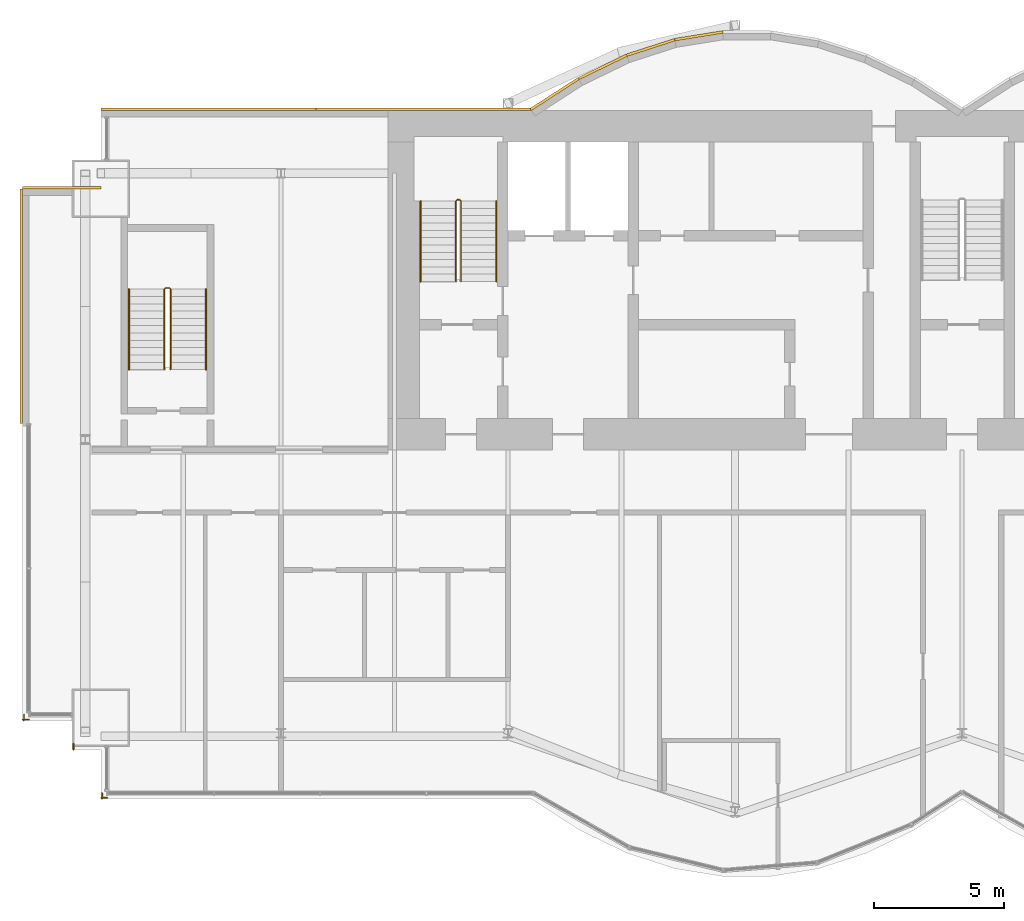
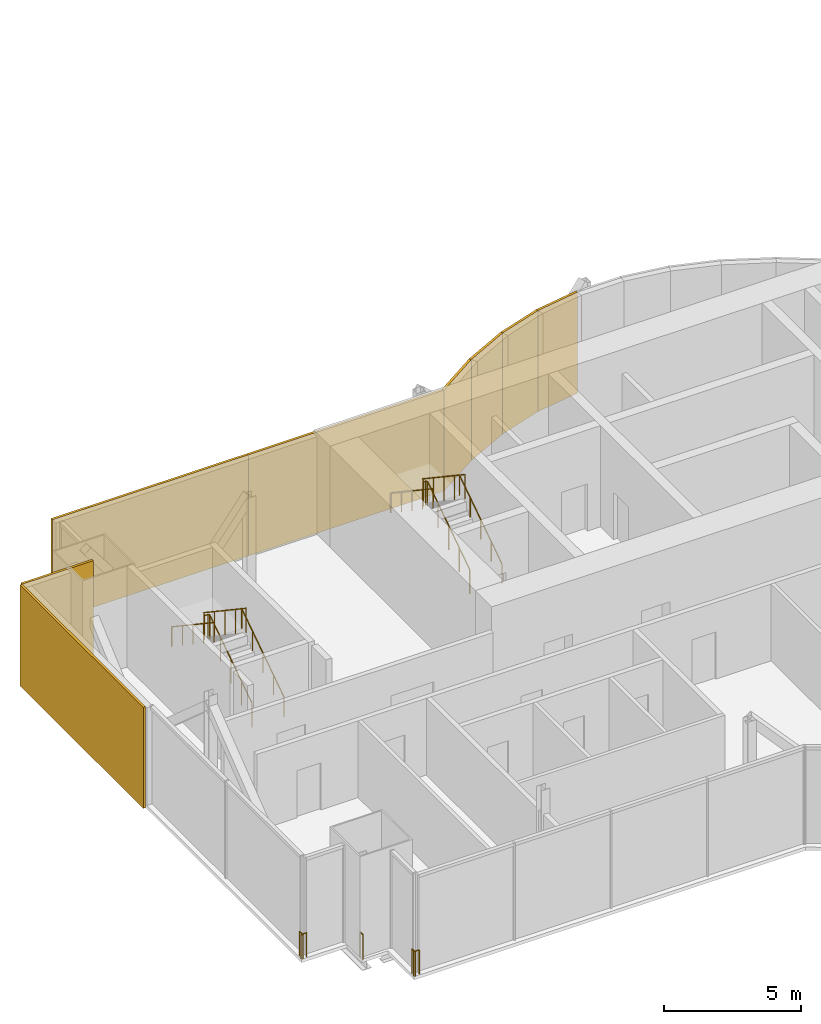
# One storey, part 16 of 18: 9 railings, 8 coverings.
"""IFC4 building model written with IfcOpenShell, lengths in metres."""

import ifcopenshell
import ifcopenshell.guid

model = None  # the IFC model being written
_history = None  # IfcOwnerHistory: only IFC2X3 demands one
_inside = {}  # id of a spatial element -> (the spatial element, [elements in it])
_under = {}  # id of a project, library or spatial element -> (it, [spatial elements below it])
_declared = {}  # id of a project -> (the project, [libraries it declares])
_typed = {}  # id of a type object -> (the type object, [elements of that type])
_made_of = {}  # id of a material, layer set ... -> (it, [elements and type objects made of it])


def new_model(schema):
    """Start an empty IFC model of exactly this schema.

    Asked for "IFC4X3", IfcOpenShell would pick the latest addendum, in which some entities
    have other attributes; the version numbers below select the first issue.
    IFC2X3 requires an IfcOwnerHistory on every rooted entity: one is made here for all.
    """
    global model, _history
    if schema == "IFC4X3":
        model = ifcopenshell.file(schema_version=(4, 3, 0, 0))
    else:
        model = ifcopenshell.file(schema=schema)
    _inside.clear()
    _under.clear()
    _declared.clear()
    _typed.clear()
    _made_of.clear()
    _history = None
    if model.schema == "IFC2X3":
        org = make("IfcOrganization", Name="unknown")
        user = make(
            "IfcPersonAndOrganization",
            ThePerson=make("IfcPerson", FamilyName="unknown"),
            TheOrganization=org,
        )
        app = make(
            "IfcApplication",
            ApplicationDeveloper=org,
            Version="unknown",
            ApplicationFullName="unknown",
            ApplicationIdentifier="unknown",
        )
        _history = make(
            "IfcOwnerHistory",
            OwningUser=user,
            OwningApplication=app,
            ChangeAction="ADDED",
            CreationDate=0,
        )
    return model


def make(cls, **values):
    """One entity of the class cls with the attributes given. An attribute that is None is left unset."""
    return model.create_entity(
        cls, **{name: value for name, value in values.items() if value is not None}
    )


def rooted(cls, **values):
    """An entity with a GlobalId (a new one), such as an element, a storey or a relation."""
    return make(cls, GlobalId=ifcopenshell.guid.new(), OwnerHistory=_history, **values)


def si_unit(unit_type, name, prefix=None):
    """IfcSIUnit, for example si_unit("LENGTHUNIT", "METRE", prefix="MILLI")."""
    return make("IfcSIUnit", UnitType=unit_type, Prefix=prefix, Name=name)


def assignment(units):
    """IfcUnitAssignment: the units of a project."""
    return None if units is None else make("IfcUnitAssignment", Units=units)


def point(xyz):
    """IfcCartesianPoint."""
    return None if xyz is None else make("IfcCartesianPoint", Coordinates=xyz)


def direction(xyz):
    """IfcDirection."""
    return None if xyz is None else make("IfcDirection", DirectionRatios=xyz)


def frame(location, z_axis=None, x_axis=None):
    """IfcAxis2Placement3D, a coordinate frame: its origin and axes. An axis left out is left unset."""
    return make(
        "IfcAxis2Placement3D",
        Location=point(location),
        Axis=direction(z_axis),
        RefDirection=direction(x_axis),
    )


def frame_2d(location, x_axis=None):
    """IfcAxis2Placement2D, a coordinate frame in the plane: its origin and x axis."""
    return make(
        "IfcAxis2Placement2D", Location=point(location), RefDirection=direction(x_axis)
    )


def origin():
    """The frame at (0, 0, 0) with its axes left unset."""
    return frame((0.0, 0.0, 0.0))


def origin_2d():
    """The frame at (0, 0) in the plane with its x axis left unset."""
    return frame_2d((0.0, 0.0))


def place(relative_to, where):
    """IfcLocalPlacement: puts the frame where relative to a parent placement (None: the world)."""
    return make(
        "IfcLocalPlacement", PlacementRelTo=relative_to, RelativePlacement=where
    )


def context(
    kind, dimensions, precision=None, world=None, true_north=None, identifier=None
):
    """IfcGeometricRepresentationContext, for example the 3D "Model" context."""
    return make(
        "IfcGeometricRepresentationContext",
        ContextIdentifier=identifier,
        ContextType=kind,
        CoordinateSpaceDimension=dimensions,
        Precision=precision,
        WorldCoordinateSystem=world,
        TrueNorth=true_north,
    )


def subcontext(parent, identifier, kind, view, scale=None):
    """IfcGeometricRepresentationSubContext, for example "Body" below "Model"."""
    return make(
        "IfcGeometricRepresentationSubContext",
        ContextIdentifier=identifier,
        ContextType=kind,
        ParentContext=parent,
        TargetScale=scale,
        TargetView=view,
    )


def project(units=None, contexts=None):
    """IfcProject with its units and contexts."""
    return rooted(
        "IfcProject",
        Name="project",
        RepresentationContexts=contexts,
        UnitsInContext=assignment(units),
    )


def spatial(cls, under=None, at=None, **own):
    """A site, building, storey or space (cls), placed at a placement, below another one or the project."""
    s = rooted(cls, ObjectPlacement=at, **own)
    if under is not None:
        _under.setdefault(under.id(), (under, []))[1].append(s)
    return s


def profile(cls, at=None, kind="AREA", **sizes):
    """A parametric profile (cls). Its sizes go by their IFC names, for example OverallWidth=200.0."""
    return make(cls, ProfileType=kind, Position=at, **sizes)


def rectangle(**sizes):
    """IfcRectangleProfileDef."""
    return profile("IfcRectangleProfileDef", **sizes)


def circle(**sizes):
    """IfcCircleProfileDef."""
    return profile("IfcCircleProfileDef", **sizes)


def extrude(swept, where, along, depth):
    """IfcExtrudedAreaSolid: the profile swept, set in the frame where, extruded along a direction by depth."""
    return make(
        "IfcExtrudedAreaSolid",
        SweptArea=swept,
        Position=where,
        ExtrudedDirection=direction(along),
        Depth=depth,
    )


def shape(context_of_items, identifier, shape_type, items):
    """IfcShapeRepresentation: the items that make up one representation, for example the "Body"."""
    return make(
        "IfcShapeRepresentation",
        ContextOfItems=context_of_items,
        RepresentationIdentifier=identifier,
        RepresentationType=shape_type,
        Items=items,
    )


def material(Name=None, Category=None):
    """IfcMaterial."""
    return make("IfcMaterial", Name=Name, Category=Category)


def layer(
    of_material, thickness, ventilated=None, Name=None, Category=None, Priority=None
):
    """IfcMaterialLayer: one layer of a wall or slab, of a material (None: an air gap)."""
    return make(
        "IfcMaterialLayer",
        Material=of_material,
        LayerThickness=thickness,
        IsVentilated=ventilated,
        Name=Name,
        Category=Category,
        Priority=Priority,
    )


def layer_set(layers, Name=None):
    """IfcMaterialLayerSet."""
    return make("IfcMaterialLayerSet", MaterialLayers=layers, LayerSetName=Name)


def made_of(thing, what):
    """Note that an element or type object is made of a material, layer set ...; save() writes the relation."""
    if what is not None:
        _made_of.setdefault(what.id(), (what, []))[1].append(thing)
    return thing


def type_object(cls, material=None, **own):
    """A type object (cls), such as IfcWallType, which elements share."""
    return made_of(rooted(cls, **own), material)


def element(
    cls,
    number,
    at=None,
    inside=None,
    cuts=None,
    type_object=None,
    material=None,
    context=None,
    identifier="Body",
    shape_type=None,
    held_by="IfcProductDefinitionShape",
    body=None,
    shapes=None,
    **own,
):
    """One element of the class cls, such as IfcWall. Its Tag is "e" and its number.

    at: its placement. inside: the storey or other place that contains it. cuts: it is an
    opening in that element (IfcRelVoidsElement). A single representation is given by context,
    identifier, shape_type and body (its items); several are given by shapes. held_by: the class
    of the entity that holds the representations. save() writes the other relations.
    """
    e = rooted(cls, Tag="e%d" % number, ObjectPlacement=at, **own)
    if body is not None:
        shapes = [shape(context, identifier, shape_type, body)]
    if shapes is not None:
        e.Representation = make(held_by, Representations=shapes)
    if inside is not None:
        _inside.setdefault(inside.id(), (inside, []))[1].append(e)
    if cuts is not None:
        rooted(
            "IfcRelVoidsElement", RelatingBuildingElement=cuts, RelatedOpeningElement=e
        )
    if type_object is not None:
        _typed.setdefault(type_object.id(), (type_object, []))[1].append(e)
    return made_of(e, material)


def aggregate(whole, parts):
    """IfcRelAggregates: a whole, such as a stair, and the parts it consists of."""
    return rooted("IfcRelAggregates", RelatingObject=whole, RelatedObjects=parts)


def save(model, path):
    """Write the relations noted so far, then the file.

    IfcRelAggregates (storeys below a building ...), IfcRelContainedInSpatialStructure (elements
    in a storey), IfcRelDefinesByType, IfcRelAssociatesMaterial and IfcRelDeclares: one each for
    every whole, place, type object, material and project.
    """
    for whole, parts in _under.values():
        aggregate(whole, parts)
    for where, things in _inside.values():
        rooted(
            "IfcRelContainedInSpatialStructure",
            RelatedElements=things,
            RelatingStructure=where,
        )
    for kind, things in _typed.values():
        rooted("IfcRelDefinesByType", RelatedObjects=things, RelatingType=kind)
    for what, things in _made_of.values():
        rooted("IfcRelAssociatesMaterial", RelatedObjects=things, RelatingMaterial=what)
    for by, libraries in _declared.values():
        rooted("IfcRelDeclares", RelatingContext=by, RelatedDefinitions=libraries)
    model.write(path)


model = new_model("IFC4")

# Units and contexts
model_context = context("Model", 3, precision=1e-05, world=origin(), true_north=direction((0.0, 1.0)))
body_context = subcontext(model_context, "Body", "Model", "MODEL_VIEW")
ifc_project = project(units=[si_unit("LENGTHUNIT", "METRE"), si_unit("AREAUNIT", "SQUARE_METRE"), si_unit("VOLUMEUNIT", "CUBIC_METRE"), si_unit("PLANEANGLEUNIT", "RADIAN"), si_unit("MASSUNIT", "GRAM", prefix="KILO")], contexts=[model_context])

# Site, building, storey
site_placement = place(None, origin())
site = spatial("IfcSite", under=ifc_project, at=site_placement, CompositionType="ELEMENT")
building_placement = place(site_placement, origin())
building = spatial("IfcBuilding", under=site, at=building_placement, Name="Bicima Exchange Tower", CompositionType="ELEMENT")
storey_placement = place(building_placement, frame((0.0, 0.0, 311.0)))
storey = spatial("IfcBuildingStorey", under=building, at=storey_placement, Name="L70", CompositionType="ELEMENT", Elevation=311.0)

# Coverings
ifc_material_1 = material(Name="Bronze metal cladding")
ifc_layer_1 = layer(ifc_material_1, 0.004)
ifc_material_2 = material(Name="Ventilated cavity")
ifc_layer_2 = layer(ifc_material_2, 0.06)
ifc_material_3 = material(Name="Galvanised steel rail and mineral wool", Category="steel")
ifc_layer_3 = layer(ifc_material_3, 0.036)
ifc_layer_set = layer_set([ifc_layer_1, ifc_layer_2, ifc_layer_3], Name="Ventilated cavity")
covering_type = type_object("IfcCoveringType", Name="Bronze metal cladding panel 100", PredefinedType="CLADDING", material=ifc_layer_set)
covering_1_placement = place(storey_placement, frame((-10.09130859375, 2.8642578125, -0.14990234375), z_axis=(0.0, 0.0, 1.0), x_axis=(-0.987189786347, -0.159550386184, 0.0)))
element("IfcCovering", 1, at=covering_1_placement, inside=storey, type_object=covering_type, Name="Bronze cladding L70 16.1", PredefinedType="CLADDING", context=body_context, shape_type="SweptSolid", body=[
    extrude(rectangle(XDim=1.857177734375, YDim=0.10009765625, at=origin_2d()), origin(), (0.0, 0.0, 1.0), 4.5),
])
covering_2_placement = place(storey_placement, frame((-11.931884765625, 2.41796875, -0.14990234375), z_axis=(0.0, 0.0, 1.0), x_axis=(-0.951524642381, -0.307572519808, 0.0)))
element("IfcCovering", 2, at=covering_2_placement, inside=storey, type_object=covering_type, Name="Bronze cladding L70 17.1", PredefinedType="CLADDING", context=body_context, shape_type="SweptSolid", body=[
    extrude(rectangle(XDim=1.9267578125, YDim=0.10009765625, at=origin_2d()), origin(), (0.0, 0.0, 1.0), 4.5),
])
covering_3_placement = place(storey_placement, frame((-13.771728515625, 1.674560546875, -0.14990234375), z_axis=(0.0, 0.0, 1.0), x_axis=(-0.899818346812, -0.436264762204, 0.0)))
element("IfcCovering", 3, at=covering_3_placement, inside=storey, type_object=covering_type, Name="Bronze cladding L70 18.1", PredefinedType="CLADDING", context=body_context, shape_type="SweptSolid", body=[
    extrude(rectangle(XDim=2.03759765625, YDim=0.10009765625, at=origin_2d()), origin(), (0.0, 0.0, 1.0), 4.5),
])
covering_4_placement = place(storey_placement, frame((-15.610595703125, 0.634521484375, -0.14990234375), z_axis=(0.0, 0.0, 1.0), x_axis=(-0.839790466384, -0.542910648791, 0.0)))
element("IfcCovering", 4, at=covering_4_placement, inside=storey, type_object=covering_type, Name="Bronze cladding L70 19.1", PredefinedType="CLADDING", context=body_context, shape_type="SweptSolid", body=[
    extrude(rectangle(XDim=2.18310546875, YDim=0.10009765625, at=origin_2d()), origin(), (0.0, 0.0, 1.0), 4.5),
])
for number, where, z_axis, x_axis, name in (
    (5, (-20.625, 0.050048828125, -0.14990234375), (0.0, 0.0, 1.0), (-1.0, 0.0, 0.0), "Bronze cladding L70 20.1"),
    (6, (-28.875, 0.050048828125, -0.14990234375), (0.0, 0.0, 1.0), (-1.0, 0.0, 0.0), "Bronze cladding L70 20.2"),
):
    element("IfcCovering", number, at=place(storey_placement, frame(where, z_axis=z_axis, x_axis=x_axis)), inside=storey, type_object=covering_type, Name=name, PredefinedType="CLADDING", context=body_context, shape_type="SweptSolid", body=[
        extrude(rectangle(XDim=8.25, YDim=0.10009765625, at=origin_2d()), origin(), (0.0, 0.0, 1.0), 4.5),
    ])
covering_5_placement = place(storey_placement, frame((-34.5, -2.949951171875, -0.14990234375), z_axis=(0.0, 0.0, 1.0), x_axis=(-1.0, 0.0, 0.0)))
element("IfcCovering", 7, at=covering_5_placement, inside=storey, type_object=covering_type, Name="Bronze cladding L70 22.1", PredefinedType="CLADDING", context=body_context, shape_type="SweptSolid", body=[
    extrude(rectangle(XDim=3.0, YDim=0.10009765625, at=origin_2d()), origin(), (0.0, 0.0, 1.0), 4.5),
])
covering_6_placement = place(storey_placement, frame((-36.050048828125, -7.5, -0.14990234375), z_axis=(0.0, 0.0, 1.0), x_axis=(0.0, -1.0, 0.0)))
element("IfcCovering", 8, at=covering_6_placement, inside=storey, type_object=covering_type, Name="Bronze cladding L70 23.1", PredefinedType="CLADDING", context=body_context, shape_type="SweptSolid", body=[
    extrude(rectangle(XDim=9.0, YDim=0.10009765625, at=origin_2d()), origin(), (0.0, 0.0, 1.0), 4.5),
])

# Railings
ifc_material_4 = material(Name="Stainless steel and bonded safety glass", Category="steel")
railing_type_1 = type_object("IfcRailingType", Name="Edge guard 1100", PredefinedType="GUARDRAIL", material=ifc_material_4)
railing_1_placement = place(storey_placement, frame((-35.762939453125, -23.333984375, 0.0)))
element("IfcRailing", 9, at=railing_1_placement, inside=storey, type_object=railing_type_1, Name="Edge guard L70 361", PredefinedType="GUARDRAIL", context=body_context, shape_type="SweptSolid", body=[
    extrude(circle(Radius=0.02392578125, at=origin_2d()), frame((0.0, 0.0, 1.076171875), z_axis=(-1.0, 0.0, 0.0), x_axis=(0.0, -1.0, 0.0)), (0.0, 0.0, 1.0), 0.237060546875),
    extrude(circle(Radius=0.02392578125, at=origin_2d()), frame((-0.237060546875, 0.0, 1.076171875), z_axis=(0.707106781187, -0.707106781187, 0.0), x_axis=(0.707106781187, 0.707106781187, 0.0)), (0.0, 0.0, 1.0), 0.07080078125),
    extrude(circle(Radius=0.02392578125, at=origin_2d()), frame((-0.18701171875, -0.050048828125, 1.076171875), z_axis=(0.0, 1.0, 0.0), x_axis=(-1.0, 0.0, 0.0)), (0.0, 0.0, 1.0), 0.2490234375),
    extrude(circle(Radius=0.02099609375, at=origin_2d()), origin(), (0.0, 0.0, 1.0), 1.052001953125),
    extrude(circle(Radius=0.02099609375, at=origin_2d()), frame((-0.237060546875, 0.0, 0.0)), (0.0, 0.0, 1.0), 1.052001953125),
    extrude(circle(Radius=0.02099609375, at=origin_2d()), frame((-0.18701171875, -0.050048828125, 0.0)), (0.0, 0.0, 1.0), 1.052001953125),
    extrude(circle(Radius=0.02099609375, at=origin_2d()), frame((-0.18701171875, 0.198974609375, 0.0)), (0.0, 0.0, 1.0), 1.052001953125),
])
railing_2_placement = place(storey_placement, frame((-32.75, -26.333984375, 0.0)))
element("IfcRailing", 10, at=railing_2_placement, inside=storey, type_object=railing_type_1, Name="Edge guard L70 365", PredefinedType="GUARDRAIL", context=body_context, shape_type="SweptSolid", body=[
    extrude(circle(Radius=0.02392578125, at=origin_2d()), frame((0.0, 0.0, 1.076171875), z_axis=(-1.0, 0.0, 0.0), x_axis=(0.0, -1.0, 0.0)), (0.0, 0.0, 1.0), 0.25),
    extrude(circle(Radius=0.02392578125, at=origin_2d()), frame((-0.25, 0.0, 1.076171875), z_axis=(0.707106781187, -0.707106781187, 0.0), x_axis=(0.707106781187, 0.707106781187, 0.0)), (0.0, 0.0, 1.0), 0.07080078125),
    extrude(circle(Radius=0.02392578125, at=origin_2d()), frame((-0.199951171875, -0.050048828125, 1.076171875), z_axis=(0.0, 1.0, 0.0), x_axis=(-1.0, 0.0, 0.0)), (0.0, 0.0, 1.0), 0.238037109375),
    extrude(circle(Radius=0.02099609375, at=origin_2d()), origin(), (0.0, 0.0, 1.0), 1.052001953125),
    extrude(circle(Radius=0.02099609375, at=origin_2d()), frame((-0.25, 0.0, 0.0)), (0.0, 0.0, 1.0), 1.052001953125),
    extrude(circle(Radius=0.02099609375, at=origin_2d()), frame((-0.199951171875, -0.050048828125, 0.0)), (0.0, 0.0, 1.0), 1.052001953125),
    extrude(circle(Radius=0.02099609375, at=origin_2d()), frame((-0.199951171875, 0.18798828125, 0.0)), (0.0, 0.0, 1.0), 1.052001953125),
])
railing_3_placement = place(storey_placement, frame((-34.050048828125, -24.48388671875, 0.0)))
element("IfcRailing", 11, at=railing_3_placement, inside=storey, type_object=railing_type_1, Name="Edge guard L70 366", PredefinedType="GUARDRAIL", context=body_context, shape_type="SweptSolid", body=[
    extrude(circle(Radius=0.02392578125, at=origin_2d()), frame((0.0, 0.0, 1.076171875), z_axis=(0.0, 1.0, 0.0), x_axis=(-1.0, 0.0, 0.0)), (0.0, 0.0, 1.0), 0.219970703125),
    extrude(circle(Radius=0.02099609375, at=origin_2d()), origin(), (0.0, 0.0, 1.0), 1.052001953125),
    extrude(circle(Radius=0.02099609375, at=origin_2d()), frame((0.0, 0.219970703125, 0.0)), (0.0, 0.0, 1.0), 1.052001953125),
])
ifc_material_5 = material(Name="Stainless steel", Category="steel")
railing_type_2 = type_object("IfcRailingType", Name="Stair guard 1100", PredefinedType="GUARDRAIL", material=ifc_material_5)
railing_4_placement = place(storey_placement, frame((-19.199951171875, -6.550048828125, 0.1875)))
element("IfcRailing", 12, at=railing_4_placement, inside=storey, type_object=railing_type_2, Name="L70 ST-W stair guard 1", PredefinedType="GUARDRAIL", context=body_context, shape_type="SweptSolid", body=[
    extrude(circle(Radius=0.02392578125, at=origin_2d()), frame((0.0, 0.0, 1.076171875), z_axis=(0.0, 0.830913701846, 0.55640131208), x_axis=(-1.0, 0.0, 0.0)), (0.0, 0.0, 1.0), 3.706787109375),
    extrude(circle(Radius=0.02392578125, at=origin_2d()), frame((0.0, 3.080078125, 3.138671875), z_axis=(-0.707106781187, 0.707106781187, 0.0), x_axis=(-0.707106781187, -0.707106781187, 0.0)), (0.0, 0.0, 1.0), 0.07080078125),
    extrude(circle(Radius=0.02392578125, at=origin_2d()), frame((-0.050048828125, 3.130126953125, 3.138671875), z_axis=(-1.0, 0.0, 0.0), x_axis=(0.0, -1.0, 0.0)), (0.0, 0.0, 1.0), 0.10009765625),
    extrude(circle(Radius=0.02392578125, at=origin_2d()), frame((-0.150146484375, 3.130126953125, 3.138671875), z_axis=(-0.248583702486, -0.249802250048, 0.935844527007), x_axis=(0.708833529934, -0.705375805398, 0.0)), (0.0, 0.0, 1.0), 0.200439453125),
    extrude(circle(Radius=0.02392578125, at=origin_2d()), frame((-0.199951171875, 3.080078125, 3.326171875), z_axis=(0.0, -0.830913701846, 0.55640131208), x_axis=(1.0, 0.0, 0.0)), (0.0, 0.0, 1.0), 3.706787109375),
    extrude(circle(Radius=0.02099609375, at=origin_2d()), origin(), (0.0, 0.0, 1.0), 1.052001953125),
    extrude(circle(Radius=0.02099609375, at=origin_2d()), frame((0.0, 0.77001953125, 0.515625)), (0.0, 0.0, 1.0), 1.052001953125),
    extrude(circle(Radius=0.02099609375, at=origin_2d()), frame((0.0, 1.5400390625, 1.03125)), (0.0, 0.0, 1.0), 1.052001953125),
    extrude(circle(Radius=0.02099609375, at=origin_2d()), frame((0.0, 2.31005859375, 1.546875)), (0.0, 0.0, 1.0), 1.052001953125),
    extrude(circle(Radius=0.02099609375, at=origin_2d()), frame((0.0, 3.080078125, 2.0625)), (0.0, 0.0, 1.0), 1.052001953125),
    extrude(circle(Radius=0.02099609375, at=origin_2d()), frame((-0.050048828125, 3.130126953125, 2.0625)), (0.0, 0.0, 1.0), 1.052001953125),
    extrude(circle(Radius=0.02099609375, at=origin_2d()), frame((-0.150146484375, 3.130126953125, 2.0625)), (0.0, 0.0, 1.0), 1.052001953125),
    extrude(circle(Radius=0.02099609375, at=origin_2d()), frame((-0.199951171875, 3.080078125, 2.25)), (0.0, 0.0, 1.0), 1.052001953125),
    extrude(circle(Radius=0.02099609375, at=origin_2d()), frame((-0.199951171875, 2.31005859375, 2.765625)), (0.0, 0.0, 1.0), 1.052001953125),
    extrude(circle(Radius=0.02099609375, at=origin_2d()), frame((-0.199951171875, 1.5400390625, 3.28125)), (0.0, 0.0, 1.0), 1.052001953125),
    extrude(circle(Radius=0.02099609375, at=origin_2d()), frame((-0.199951171875, 0.77001953125, 3.796875)), (0.0, 0.0, 1.0), 1.052001953125),
    extrude(circle(Radius=0.02099609375, at=origin_2d()), frame((-0.199951171875, 0.0, 4.3125)), (0.0, 0.0, 1.0), 1.052001953125),
])
railing_5_placement = place(storey_placement, frame((-30.324951171875, -9.925048828125, 0.1875)))
element("IfcRailing", 13, at=railing_5_placement, inside=storey, type_object=railing_type_2, Name="L70 ST-WW stair guard 1", PredefinedType="GUARDRAIL", context=body_context, shape_type="SweptSolid", body=[
    extrude(circle(Radius=0.02392578125, at=origin_2d()), frame((0.0, 0.0, 1.076171875), z_axis=(0.0, 0.830913701846, 0.55640131208), x_axis=(-1.0, 0.0, 0.0)), (0.0, 0.0, 1.0), 3.706787109375),
    extrude(circle(Radius=0.02392578125, at=origin_2d()), frame((0.0, 3.080078125, 3.138671875), z_axis=(-0.707106781187, 0.707106781187, 0.0), x_axis=(-0.707106781187, -0.707106781187, 0.0)), (0.0, 0.0, 1.0), 0.07080078125),
    extrude(circle(Radius=0.02392578125, at=origin_2d()), frame((-0.050048828125, 3.130126953125, 3.138671875), z_axis=(-1.0, 0.0, 0.0), x_axis=(0.0, -1.0, 0.0)), (0.0, 0.0, 1.0), 0.14990234375),
    extrude(circle(Radius=0.02392578125, at=origin_2d()), frame((-0.199951171875, 3.130126953125, 3.138671875), z_axis=(-0.249726431254, -0.249726431254, 0.935560483917), x_axis=(0.707106781187, -0.707106781187, 0.0)), (0.0, 0.0, 1.0), 0.200439453125),
    extrude(circle(Radius=0.02392578125, at=origin_2d()), frame((-0.25, 3.080078125, 3.326171875), z_axis=(0.0, -0.830913701846, 0.55640131208), x_axis=(1.0, 0.0, 0.0)), (0.0, 0.0, 1.0), 3.706787109375),
    extrude(circle(Radius=0.02099609375, at=origin_2d()), origin(), (0.0, 0.0, 1.0), 1.052001953125),
    extrude(circle(Radius=0.02099609375, at=origin_2d()), frame((0.0, 0.77001953125, 0.515625)), (0.0, 0.0, 1.0), 1.052001953125),
    extrude(circle(Radius=0.02099609375, at=origin_2d()), frame((0.0, 1.5400390625, 1.03125)), (0.0, 0.0, 1.0), 1.052001953125),
    extrude(circle(Radius=0.02099609375, at=origin_2d()), frame((0.0, 2.31005859375, 1.546875)), (0.0, 0.0, 1.0), 1.052001953125),
    extrude(circle(Radius=0.02099609375, at=origin_2d()), frame((0.0, 3.080078125, 2.0625)), (0.0, 0.0, 1.0), 1.052001953125),
    extrude(circle(Radius=0.02099609375, at=origin_2d()), frame((-0.050048828125, 3.130126953125, 2.0625)), (0.0, 0.0, 1.0), 1.052001953125),
    extrude(circle(Radius=0.02099609375, at=origin_2d()), frame((-0.199951171875, 3.130126953125, 2.0625)), (0.0, 0.0, 1.0), 1.052001953125),
    extrude(circle(Radius=0.02099609375, at=origin_2d()), frame((-0.25, 3.080078125, 2.25)), (0.0, 0.0, 1.0), 1.052001953125),
    extrude(circle(Radius=0.02099609375, at=origin_2d()), frame((-0.25, 2.31005859375, 2.765625)), (0.0, 0.0, 1.0), 1.052001953125),
    extrude(circle(Radius=0.02099609375, at=origin_2d()), frame((-0.25, 1.5400390625, 3.28125)), (0.0, 0.0, 1.0), 1.052001953125),
    extrude(circle(Radius=0.02099609375, at=origin_2d()), frame((-0.25, 0.77001953125, 3.796875)), (0.0, 0.0, 1.0), 1.052001953125),
    extrude(circle(Radius=0.02099609375, at=origin_2d()), frame((-0.25, 0.0, 4.3125)), (0.0, 0.0, 1.0), 1.052001953125),
])
railing_type_3 = type_object("IfcRailingType", Name="Stair handrail 900", PredefinedType="HANDRAIL", material=ifc_material_5)
railing_6_placement = place(storey_placement, frame((-17.85009765625, -6.550048828125, 0.1875)))
element("IfcRailing", 14, at=railing_6_placement, inside=storey, type_object=railing_type_3, Name="L70 ST-W stair handrail 1", PredefinedType="HANDRAIL", context=body_context, shape_type="SweptSolid", body=[
    extrude(circle(Radius=0.02392578125, at=origin_2d()), frame((0.0, 0.0, 0.8759765625), z_axis=(0.0, 0.830913701846, 0.55640131208), x_axis=(-1.0, 0.0, 0.0)), (0.0, 0.0, 1.0), 3.706787109375),
    extrude(circle(Radius=0.02099609375, at=origin_2d()), origin(), (0.0, 0.0, 1.0), 0.851806640625),
    extrude(circle(Radius=0.02099609375, at=origin_2d()), frame((0.0, 0.77001953125, 0.515625)), (0.0, 0.0, 1.0), 0.851806640625),
    extrude(circle(Radius=0.02099609375, at=origin_2d()), frame((0.0, 1.5400390625, 1.03125)), (0.0, 0.0, 1.0), 0.851806640625),
    extrude(circle(Radius=0.02099609375, at=origin_2d()), frame((0.0, 2.31005859375, 1.546875)), (0.0, 0.0, 1.0), 0.851806640625),
    extrude(circle(Radius=0.02099609375, at=origin_2d()), frame((0.0, 3.080078125, 2.0625)), (0.0, 0.0, 1.0), 0.851806640625),
])
railing_7_placement = place(storey_placement, frame((-20.75, -3.469970703125, 2.47900390625)))
element("IfcRailing", 15, at=railing_7_placement, inside=storey, type_object=railing_type_3, Name="L70 ST-W stair handrail 2", PredefinedType="HANDRAIL", context=body_context, shape_type="SweptSolid", body=[
    extrude(circle(Radius=0.02392578125, at=origin_2d()), frame((0.0, 0.0, 0.8759765625), z_axis=(0.0, -0.830913701846, 0.55640131208), x_axis=(1.0, 0.0, 0.0)), (0.0, 0.0, 1.0), 3.706787109375),
    extrude(circle(Radius=0.02099609375, at=origin_2d()), origin(), (0.0, 0.0, 1.0), 0.851806640625),
    extrude(circle(Radius=0.02099609375, at=origin_2d()), frame((0.0, -0.77001953125, 0.515625)), (0.0, 0.0, 1.0), 0.851806640625),
    extrude(circle(Radius=0.02099609375, at=origin_2d()), frame((0.0, -1.5400390625, 1.03125)), (0.0, 0.0, 1.0), 0.851806640625),
    extrude(circle(Radius=0.02099609375, at=origin_2d()), frame((0.0, -2.31005859375, 1.546875)), (0.0, 0.0, 1.0), 0.851806640625),
    extrude(circle(Radius=0.02099609375, at=origin_2d()), frame((0.0, -3.080078125, 2.0625)), (0.0, 0.0, 1.0), 0.851806640625),
])
railing_8_placement = place(storey_placement, frame((-28.97509765625, -9.925048828125, 0.1875)))
element("IfcRailing", 16, at=railing_8_placement, inside=storey, type_object=railing_type_3, Name="L70 ST-WW stair handrail 1", PredefinedType="HANDRAIL", context=body_context, shape_type="SweptSolid", body=[
    extrude(circle(Radius=0.02392578125, at=origin_2d()), frame((0.0, 0.0, 0.8759765625), z_axis=(0.0, 0.830913701846, 0.55640131208), x_axis=(-1.0, 0.0, 0.0)), (0.0, 0.0, 1.0), 3.706787109375),
    extrude(circle(Radius=0.02099609375, at=origin_2d()), origin(), (0.0, 0.0, 1.0), 0.851806640625),
    extrude(circle(Radius=0.02099609375, at=origin_2d()), frame((0.0, 0.77001953125, 0.515625)), (0.0, 0.0, 1.0), 0.851806640625),
    extrude(circle(Radius=0.02099609375, at=origin_2d()), frame((0.0, 1.5400390625, 1.03125)), (0.0, 0.0, 1.0), 0.851806640625),
    extrude(circle(Radius=0.02099609375, at=origin_2d()), frame((0.0, 2.31005859375, 1.546875)), (0.0, 0.0, 1.0), 0.851806640625),
    extrude(circle(Radius=0.02099609375, at=origin_2d()), frame((0.0, 3.080078125, 2.0625)), (0.0, 0.0, 1.0), 0.851806640625),
])
railing_9_placement = place(storey_placement, frame((-31.925048828125, -6.844970703125, 2.47900390625)))
element("IfcRailing", 17, at=railing_9_placement, inside=storey, type_object=railing_type_3, Name="L70 ST-WW stair handrail 2", PredefinedType="HANDRAIL", context=body_context, shape_type="SweptSolid", body=[
    extrude(circle(Radius=0.02392578125, at=origin_2d()), frame((0.0, 0.0, 0.8759765625), z_axis=(0.0, -0.830913701846, 0.55640131208), x_axis=(1.0, 0.0, 0.0)), (0.0, 0.0, 1.0), 3.706787109375),
    extrude(circle(Radius=0.02099609375, at=origin_2d()), origin(), (0.0, 0.0, 1.0), 0.851806640625),
    extrude(circle(Radius=0.02099609375, at=origin_2d()), frame((0.0, -0.77001953125, 0.515625)), (0.0, 0.0, 1.0), 0.851806640625),
    extrude(circle(Radius=0.02099609375, at=origin_2d()), frame((0.0, -1.5400390625, 1.03125)), (0.0, 0.0, 1.0), 0.851806640625),
    extrude(circle(Radius=0.02099609375, at=origin_2d()), frame((0.0, -2.31005859375, 1.546875)), (0.0, 0.0, 1.0), 0.851806640625),
    extrude(circle(Radius=0.02099609375, at=origin_2d()), frame((0.0, -3.080078125, 2.0625)), (0.0, 0.0, 1.0), 0.851806640625),
])

save(model, "model.ifc")
